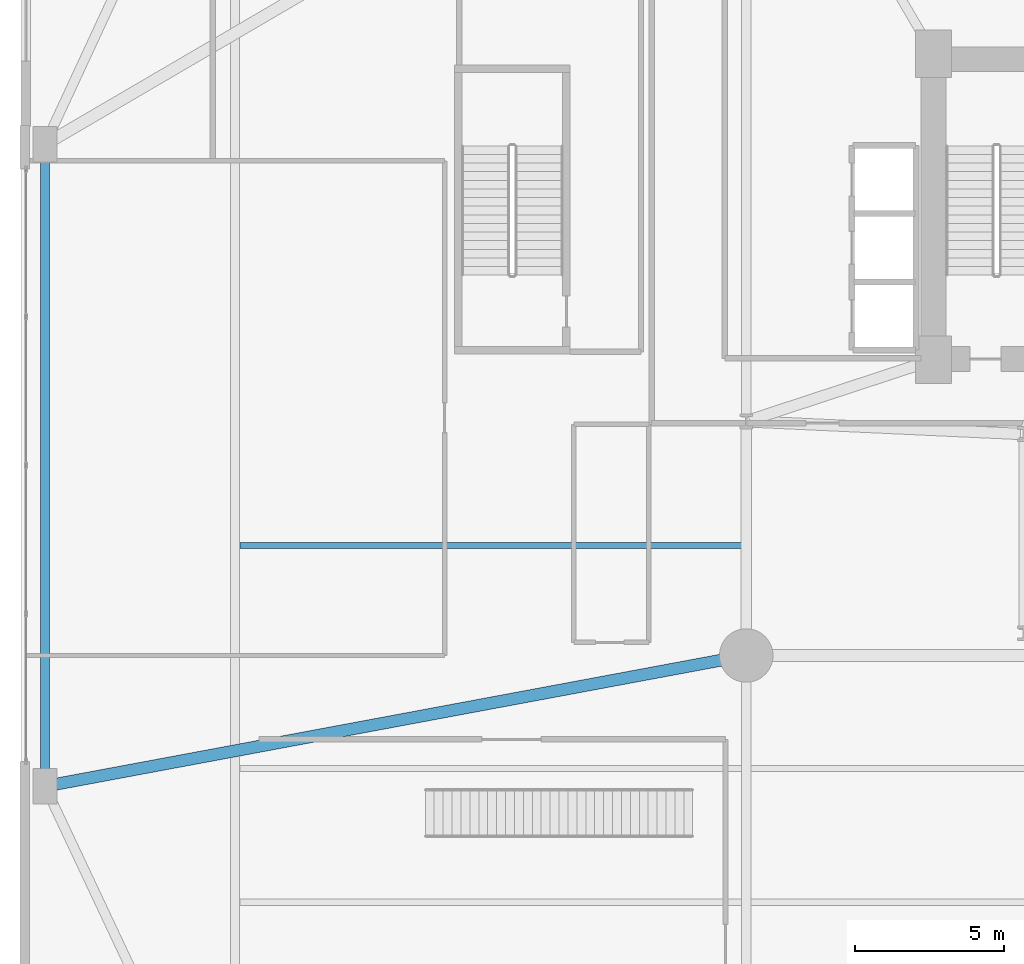
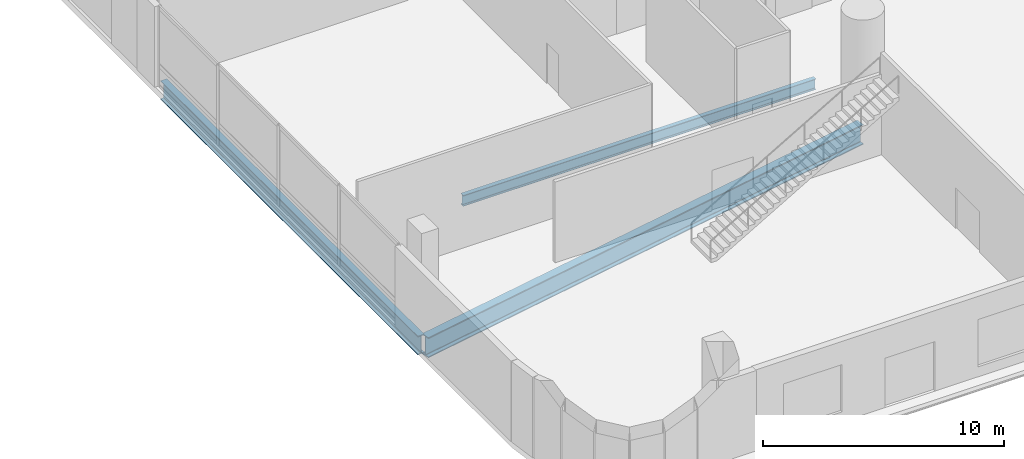
# One storey, part 5 of 26: 3 beams.
"""IFC4 building model written with IfcOpenShell, lengths in metres."""

from ifc_helpers import new_model, si_unit, direction, frame, origin, origin_2d, place, context, subcontext, project, spatial, i_section, extrude, material, material_profile, profile_set, type_object, element, save


model = new_model("IFC4")

# Units and contexts
model_context = context("Model", 3, precision=1e-05, world=origin(), true_north=direction((0.0, 1.0)))
body_context = subcontext(model_context, "Body", "Model", "MODEL_VIEW")
ifc_project = project(units=[si_unit("LENGTHUNIT", "METRE"), si_unit("AREAUNIT", "SQUARE_METRE"), si_unit("VOLUMEUNIT", "CUBIC_METRE"), si_unit("PLANEANGLEUNIT", "RADIAN"), si_unit("MASSUNIT", "GRAM", prefix="KILO")], contexts=[model_context])

# Site, building, storey
site_placement = place(None, origin())
site = spatial("IfcSite", under=ifc_project, at=site_placement, CompositionType="ELEMENT")
building_placement = place(site_placement, origin())
building = spatial("IfcBuilding", under=site, at=building_placement, Name="Varnelok Gate Tower", CompositionType="ELEMENT")
storey_placement = place(building_placement, origin())
storey = spatial("IfcBuildingStorey", under=building, at=storey_placement, Name="L00", CompositionType="ELEMENT", Elevation=0.0)

# Beams
ifc_material = material(Name="Structural Steel ASTM A992 Grade 50", Category="steel")
ifc_material_profile_1 = material_profile(ifc_material, i_section(OverallWidth=0.2119140625, OverallDepth=0.5439453125, WebThickness=0.01318359375, FlangeThickness=0.021240234375, FilletRadius=0.01611328125, at=origin_2d()), Name="W21X83")
ifc_profile_set_1 = profile_set([ifc_material_profile_1], Name="Structural Steel ASTM A992 Grade 50")
beam_type_1 = type_object("IfcBeamType", Name="BM-JST-W21X83", PredefinedType="JOIST", material=ifc_profile_set_1)
beam_1_placement = place(storey_placement, frame((7.360107421875, 22.5, -0.592041015625), z_axis=(1.0, 0.0, 0.0), x_axis=(0.0, 1.0, 0.0)))
element("IfcBeam", 1, at=beam_1_placement, inside=storey, type_object=beam_type_1, Name="L00 Podium Floor Joist", PredefinedType="JOIST", context=body_context, shape_type="SweptSolid", body=[
    extrude(i_section(OverallWidth=0.2119140625, OverallDepth=0.5439453125, WebThickness=0.01318359375, FlangeThickness=0.021240234375, FilletRadius=0.01611328125, at=origin_2d()), origin(), (0.0, 0.0, 1.0), 16.8798828125),
])
ifc_material_profile_2 = material_profile(ifc_material, i_section(OverallWidth=0.30810546875, OverallDepth=0.943115234375, WebThickness=0.022216796875, FlangeThickness=0.039794921875, FilletRadius=0.02587890625, at=origin_2d()), Name="W36X232")
ifc_profile_set_2 = profile_set([ifc_material_profile_2], Name="Structural Steel ASTM A992 Grade 50")
beam_type_2 = type_object("IfcBeamType", Name="BM-PRI-W36X232", PredefinedType="BEAM", material=ifc_profile_set_2)
beam_2_placement = place(storey_placement, frame((0.800048828125, 14.5400390625, -0.79150390625), z_axis=(0.0, 1.0, 0.0), x_axis=(-1.0, 0.0, 0.0)))
element("IfcBeam", 2, at=beam_2_placement, inside=storey, type_object=beam_type_2, Name="L00 Podium Primary Girder 6", PredefinedType="BEAM", context=body_context, shape_type="SweptSolid", body=[
    extrude(i_section(OverallWidth=0.30810546875, OverallDepth=0.943115234375, WebThickness=0.022216796875, FlangeThickness=0.039794921875, FilletRadius=0.02587890625, at=origin_2d()), origin(), (0.0, 0.0, 1.0), 21.320068359375),
])
ifc_material_profile_3 = material_profile(ifc_material, i_section(OverallWidth=0.404052734375, OverallDepth=1.02001953125, WebThickness=0.025390625, FlangeThickness=0.0458984375, FilletRadius=0.030029296875, at=origin_2d()), Name="W40X324")
ifc_profile_set_3 = profile_set([ifc_material_profile_3], Name="Structural Steel ASTM A992 Grade 50")
beam_type_3 = type_object("IfcBeamType", Name="BM-SPR-W40X324", PredefinedType="BEAM", material=ifc_profile_set_3)
beam_3_placement = place(storey_placement, frame((0.9375, 14.42578125, -0.830078125), z_axis=(0.983060958823, 0.183278889234, 0.0), x_axis=(-0.183278889234, 0.983060958823, 0.0)))
element("IfcBeam", 3, at=beam_3_placement, inside=storey, type_object=beam_type_3, Name="L00 Podium Primary Girder 16", PredefinedType="BEAM", context=body_context, shape_type="SweptSolid", body=[
    extrude(i_section(OverallWidth=0.404052734375, OverallDepth=1.02001953125, WebThickness=0.025390625, FlangeThickness=0.0458984375, FilletRadius=0.030029296875, at=origin_2d()), origin(), (0.0, 0.0, 1.0), 23.726806640625),
])

save(model, "model.ifc")
